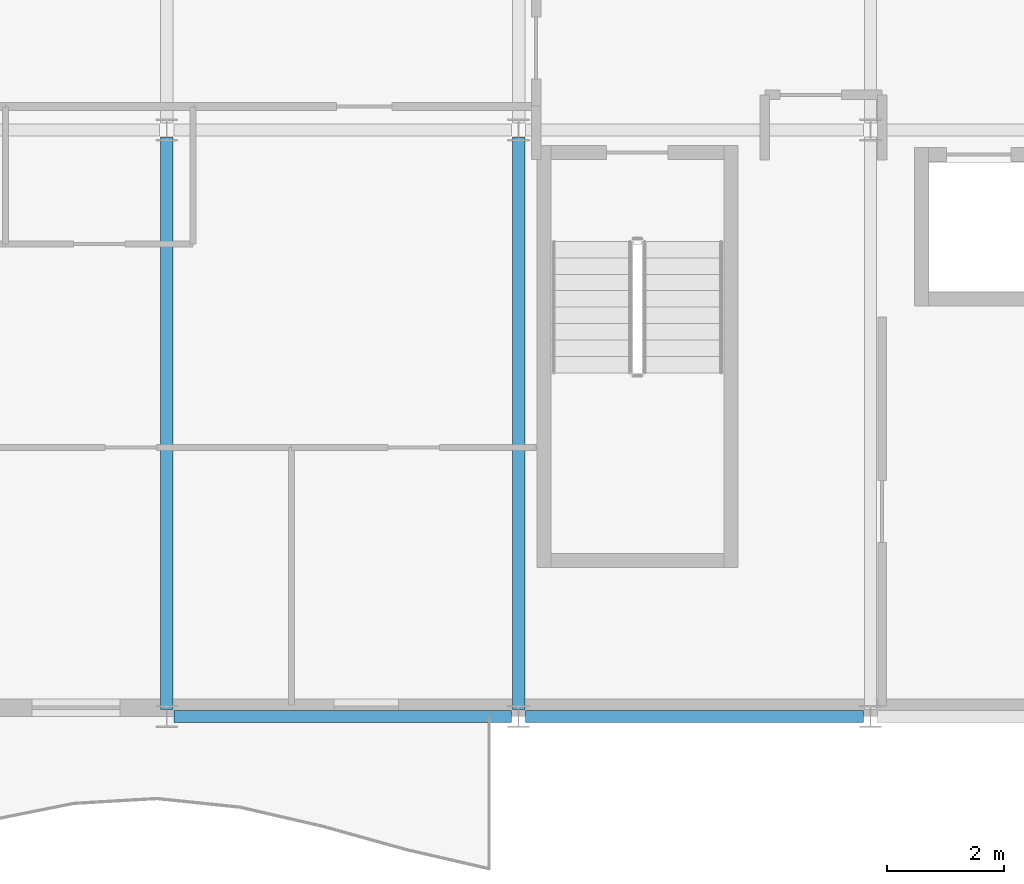
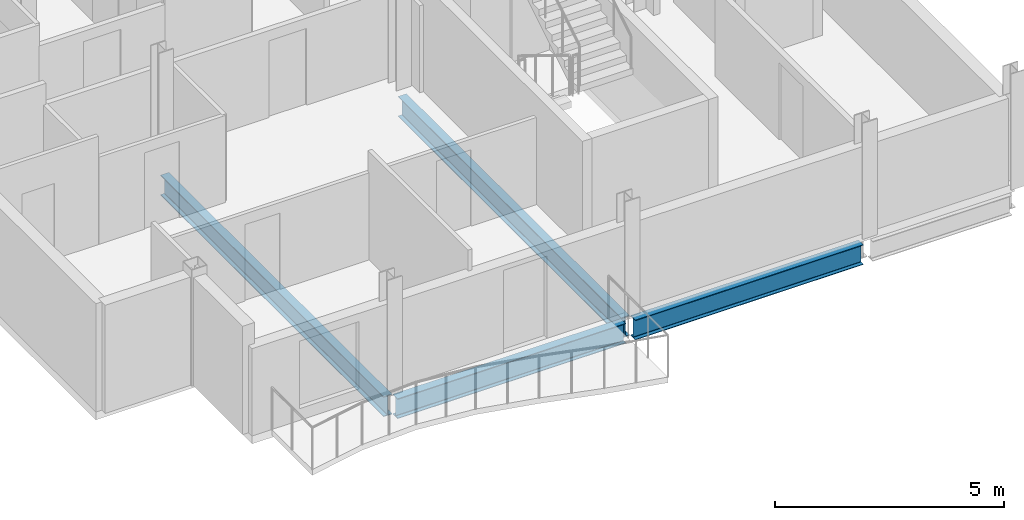
# One storey, part 3 of 29: 4 beams.
"""IFC4 building model written with IfcOpenShell, lengths in metres."""

from ifc_helpers import new_model, si_unit, direction, frame, origin, origin_2d, place, context, subcontext, project, spatial, i_section, extrude, material, material_profile, profile_set, type_object, element, save


model = new_model("IFC4")

# Units and contexts
model_context = context("Model", 3, precision=1e-05, world=origin(), true_north=direction((0.0, 1.0)))
body_context = subcontext(model_context, "Body", "Model", "MODEL_VIEW")
ifc_project = project(units=[si_unit("LENGTHUNIT", "METRE"), si_unit("AREAUNIT", "SQUARE_METRE"), si_unit("VOLUMEUNIT", "CUBIC_METRE"), si_unit("PLANEANGLEUNIT", "RADIAN"), si_unit("MASSUNIT", "GRAM", prefix="KILO")], contexts=[model_context])

# Site, building, storey
site_placement = place(None, origin())
site = spatial("IfcSite", under=ifc_project, at=site_placement, CompositionType="ELEMENT")
building_placement = place(site_placement, origin())
building = spatial("IfcBuilding", under=site, at=building_placement, Name="Brevholm Reach", CompositionType="ELEMENT")
storey_placement = place(building_placement, frame((0.0, 0.0, 208.0)))
storey = spatial("IfcBuildingStorey", under=building, at=storey_placement, Name="L63", CompositionType="ELEMENT", Elevation=208.0)

# Beams
ifc_material_1 = material(Name="Structural Steel S355J2", Category="steel")
ifc_material_profile_1 = material_profile(ifc_material_1, i_section(OverallWidth=0.209228515625, OverallDepth=0.533203125, WebThickness=0.010009765625, FlangeThickness=0.015625, FilletRadius=0.0126953125, at=origin_2d()), Name="UKB 533x210x92")
ifc_profile_set_1 = profile_set([ifc_material_profile_1], Name="Structural Steel S355J2")
beam_type_1 = type_object("IfcBeamType", Name="BM-SP533", PredefinedType="SPANDREL", material=ifc_profile_set_1)
for number, where, z_axis, x_axis, name in (
    (1, (6.1201171875, 0.0, -0.4765625), (1.0, 0.0, 0.0), (0.0, 1.0, 0.0), "L63 SP-02 Framing Beam"),
    (2, (12.1201171875, 0.0, -0.4765625), (1.0, 0.0, 0.0), (0.0, 1.0, 0.0), "L63 SP-02 Framing Beam"),
):
    element("IfcBeam", number, at=place(storey_placement, frame(where, z_axis=z_axis, x_axis=x_axis)), inside=storey, type_object=beam_type_1, Name=name, PredefinedType="SPANDREL", context=body_context, shape_type="SweptSolid", body=[
        extrude(i_section(OverallWidth=0.209228515625, OverallDepth=0.533203125, WebThickness=0.010009765625, FlangeThickness=0.015625, FilletRadius=0.0126953125, at=origin_2d()), origin(), (0.0, 0.0, 1.0), 5.759765625),
    ])
ifc_material_2 = material(Name="Structural Steel S355J2", Category="steel")
ifc_material_profile_2 = material_profile(ifc_material_2, i_section(OverallWidth=0.210693359375, OverallDepth=0.53955078125, WebThickness=0.01171875, FlangeThickness=0.018798828125, FilletRadius=0.0126953125, at=origin_2d()), Name="UKB 533x210x109")
ifc_profile_set_2 = profile_set([ifc_material_profile_2], Name="Structural Steel S355J2")
beam_type_2 = type_object("IfcBeamType", Name="BM-SP539", PredefinedType="SPANDREL", material=ifc_profile_set_2)
for number, where, z_axis, x_axis, name in (
    (3, (6.0, 0.1201171875, -0.479736328125), (0.0, 1.0, 0.0), (-1.0, 0.0, 0.0), "L63 SP-01B Framing Beam"),
    (4, (12.0, 0.1201171875, -0.479736328125), (0.0, 1.0, 0.0), (-1.0, 0.0, 0.0), "L63 SP-01B Framing Beam"),
):
    element("IfcBeam", number, at=place(storey_placement, frame(where, z_axis=z_axis, x_axis=x_axis)), inside=storey, type_object=beam_type_2, Name=name, PredefinedType="SPANDREL", context=body_context, shape_type="SweptSolid", body=[
        extrude(i_section(OverallWidth=0.210693359375, OverallDepth=0.53955078125, WebThickness=0.01171875, FlangeThickness=0.018798828125, FilletRadius=0.0126953125, at=origin_2d()), origin(), (0.0, 0.0, 1.0), 9.759765625),
    ])

save(model, "model.ifc")
